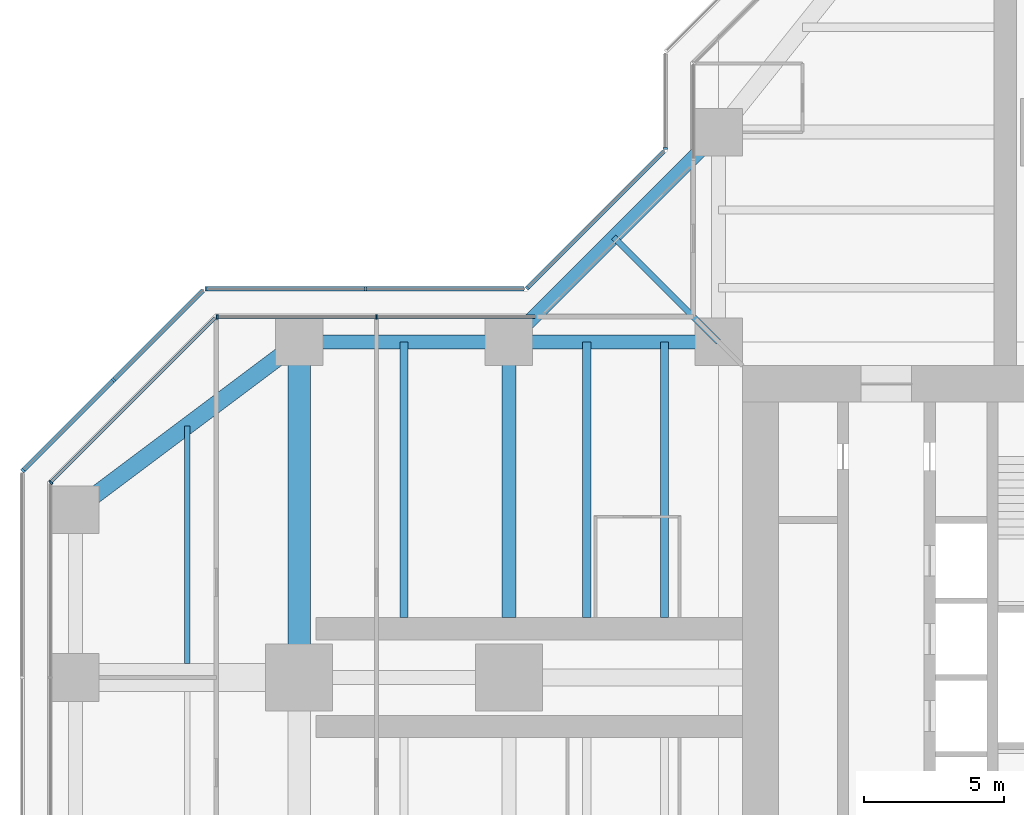
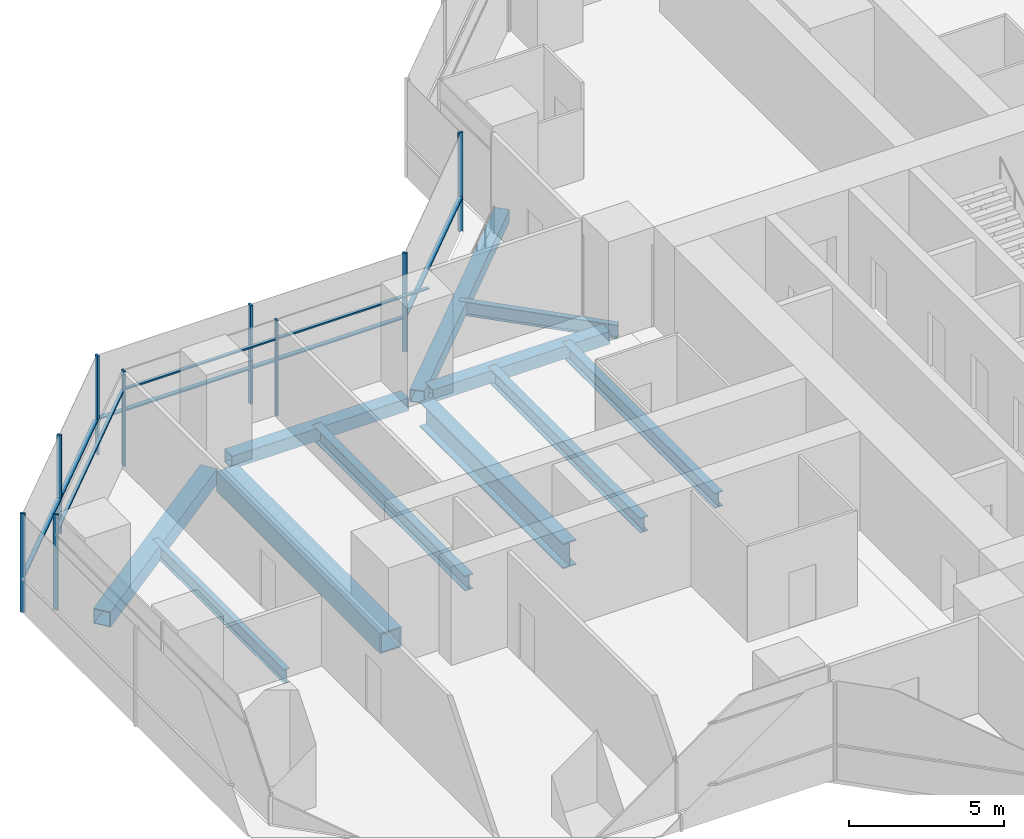
# One storey, part 7 of 20: 17 members, 11 beams, 6 elements without a shape of their own.
"""IFC4 building model written with IfcOpenShell, lengths in metres."""

from ifc_helpers import new_model, si_unit, direction, frame, origin, origin_2d, place, context, subcontext, project, spatial, rectangle, hollow_rectangle, i_section, extrude, material, material_profile, profile_set, type_object, element, aggregate, save


model = new_model("IFC4")

# Units and contexts
model_context = context("Model", 3, precision=1e-05, world=origin(), true_north=direction((0.0, 1.0)))
body_context = subcontext(model_context, "Body", "Model", "MODEL_VIEW")
ifc_project = project(units=[si_unit("LENGTHUNIT", "METRE"), si_unit("AREAUNIT", "SQUARE_METRE"), si_unit("VOLUMEUNIT", "CUBIC_METRE"), si_unit("PLANEANGLEUNIT", "RADIAN"), si_unit("MASSUNIT", "GRAM", prefix="KILO")], contexts=[model_context])

# Site, building, storey
site_placement = place(None, origin())
site = spatial("IfcSite", under=ifc_project, at=site_placement, CompositionType="ELEMENT")
building_placement = place(site_placement, origin())
building = spatial("IfcBuilding", under=site, at=building_placement, Name="Mizan Broadcast Tower", CompositionType="ELEMENT")
storey_placement = place(building_placement, frame((0.0, 0.0, 147.60009765625)))
storey = spatial("IfcBuildingStorey", under=building, at=storey_placement, Name="L33", CompositionType="ELEMENT", Elevation=147.60009765625)

# Beams
ifc_material_1 = material(Name="Steel S355", Category="steel")
ifc_material_profile_1 = material_profile(ifc_material_1, hollow_rectangle(XDim=0.5, YDim=0.5, WallThickness=0.030029296875, at=origin_2d()), Name="BOX 500x500x30")
ifc_profile_set_1 = profile_set([ifc_material_profile_1], Name="Steel S355")
beam_type_1 = type_object("IfcBeamType", Name="EDGE BEAM BOX 500x500x30", PredefinedType="SPANDREL", material=ifc_profile_set_1)
for number, where, z_axis, x_axis, name in (
    (1, (-12.449951171875, 12.0, -0.380126953125), (-1.0, 0.0, 0.0), (0.0, -1.0, 0.0), "Edge beam BOX 500x500x30 L33 west arm"),
    (2, (-19.949951171875, 12.0, -0.380126953125), (-1.0, 0.0, 0.0), (0.0, -1.0, 0.0), "Edge beam BOX 500x500x30 L33 west arm"),
):
    element("IfcBeam", number, at=place(storey_placement, frame(where, z_axis=z_axis, x_axis=x_axis)), inside=storey, type_object=beam_type_1, Name=name, PredefinedType="SPANDREL", context=body_context, shape_type="SweptSolid", body=[
        extrude(hollow_rectangle(XDim=0.5, YDim=0.5, WallThickness=0.030029296875, at=origin_2d()), origin(), (0.0, 0.0, 1.0), 6.60009765625),
    ])
beam_1_placement = place(storey_placement, frame((-12.0, 19.5, -0.380126953125), z_axis=(-0.707106781187, -0.707106781187, 0.0), x_axis=(0.707106781187, -0.707106781187, 0.0)))
element("IfcBeam", 3, at=beam_1_placement, inside=storey, type_object=beam_type_1, Name="Winter garden edge beam L33 N", PredefinedType="SPANDREL", context=body_context, shape_type="SweptSolid", body=[
    extrude(hollow_rectangle(XDim=0.5, YDim=0.5, WallThickness=0.030029296875, at=origin_2d()), origin(), (0.0, 0.0, 1.0), 10.606689453125),
])
ifc_material_2 = material(Name="Steel S355", Category="steel")
ifc_material_profile_2 = material_profile(ifc_material_2, hollow_rectangle(XDim=0.60009765625, YDim=0.60009765625, WallThickness=0.030029296875, at=origin_2d()), Name="BOX 600x600x30")
ifc_profile_set_2 = profile_set([ifc_material_profile_2], Name="Steel S355")
beam_type_2 = type_object("IfcBeamType", Name="EDGE BEAM BOX 600x600x30", PredefinedType="SPANDREL", material=ifc_profile_set_2)
beam_2_placement = place(storey_placement, frame((-27.47998046875, 11.639892578125, -0.43017578125), z_axis=(-0.800013316712, -0.599982243973, 0.0), x_axis=(0.599982243973, -0.800013316712, 0.0)))
element("IfcBeam", 4, at=beam_2_placement, inside=storey, type_object=beam_type_2, Name="Edge beam BOX 600x600x30 L33 west arm", PredefinedType="SPANDREL", context=body_context, shape_type="SweptSolid", body=[
    extrude(hollow_rectangle(XDim=0.60009765625, YDim=0.60009765625, WallThickness=0.030029296875, at=origin_2d()), origin(), (0.0, 0.0, 1.0), 8.7998046875),
])
ifc_material_3 = material(Name="Steel S460", Category="steel")
ifc_material_profile_3 = material_profile(ifc_material_3, hollow_rectangle(XDim=0.800048828125, YDim=0.800048828125, WallThickness=0.050048828125, at=origin_2d()), Name="BOX 800x800x50")
ifc_profile_set_3 = profile_set([ifc_material_profile_3], Name="Steel S460")
beam_type_3 = type_object("IfcBeamType", Name="GIRDER BOX 800x800x50", PredefinedType="BEAM", material=ifc_profile_set_3)
beam_3_placement = place(storey_placement, frame((-27.0, 11.280029296875, -0.530029296875), z_axis=(0.0, -1.0, 0.0), x_axis=(1.0, 0.0, 0.0)))
element("IfcBeam", 5, at=beam_3_placement, inside=storey, type_object=beam_type_3, Name="Girder BOX 800x800x50 L33 west arm", PredefinedType="BEAM", context=body_context, shape_type="SweptSolid", body=[
    extrude(hollow_rectangle(XDim=0.800048828125, YDim=0.800048828125, WallThickness=0.050048828125, at=origin_2d()), origin(), (0.0, 0.0, 1.0), 10.56005859375),
])
ifc_material_4 = material(Name="Steel S460", Category="steel")
ifc_material_profile_4 = material_profile(ifc_material_4, i_section(OverallWidth=0.5, OverallDepth=1.0, WebThickness=0.02490234375, FlangeThickness=0.050048828125, at=origin_2d()), Name="WPG 1000x500")
ifc_profile_set_4 = profile_set([ifc_material_profile_4], Name="Steel S460")
beam_type_4 = type_object("IfcBeamType", Name="GIRDER WPG 1000x500", PredefinedType="BEAM", material=ifc_profile_set_4)
beam_4_placement = place(storey_placement, frame((-19.5, 11.408935546875, -0.630126953125), z_axis=(0.0, -1.0, 0.0), x_axis=(1.0, 0.0, 0.0)))
element("IfcBeam", 6, at=beam_4_placement, inside=storey, type_object=beam_type_4, Name="Girder WPG 1000x500 L33 west arm", PredefinedType="BEAM", context=body_context, shape_type="SweptSolid", body=[
    extrude(i_section(OverallWidth=0.5, OverallDepth=1.0, WebThickness=0.02490234375, FlangeThickness=0.050048828125, at=origin_2d()), origin(), (0.0, 0.0, 1.0), 9.259033203125),
])

# Curtain wall, members
ifc_material_5 = material(Name="Aluminium framed glazing", Category="aluminium")
curtain_wall_type_1 = type_object("IfcCurtainWallType", Name="INNER SKIN MID ZONE", PredefinedType="USERDEFINED", material=ifc_material_5)
curtain_wall_1_placement = place(storey_placement, origin())
curtain_wall_1 = element("IfcCurtainWall", 7, at=curtain_wall_1_placement, inside=storey, type_object=curtain_wall_type_1, Name="Inner skin mid zone L33 W side", ObjectType="INNER SKIN MID ZONE", PredefinedType="USERDEFINED")
ifc_material_6 = material(Name="Aluminium, pale anodised", Category="aluminium")
ifc_material_profile_5 = material_profile(ifc_material_6, rectangle(XDim=0.159912109375, YDim=0.06005859375, at=origin_2d()), Name="MULLION 160x60")
ifc_profile_set_5 = profile_set([ifc_material_profile_5], Name="Aluminium, pale anodised")
member_type_1 = type_object("IfcMemberType", Name="INNER SKIN MULLION 60x160", PredefinedType="MULLION", material=ifc_profile_set_5)
member_1_placement = place(storey_placement, frame((-24.229248046875, 12.89990234375, 0.0), z_axis=(0.0, 0.0, 1.0), x_axis=(0.0, -1.0, 0.0)))
member_1 = element("IfcMember", 8, at=member_1_placement, type_object=member_type_1, Name="Inner skin mid zone L33 W side mullion 2", PredefinedType="MULLION", context=body_context, shape_type="SweptSolid", body=[
    extrude(rectangle(XDim=0.159912109375, YDim=0.06005859375, at=origin_2d()), origin(), (0.0, 0.0, 1.0), 3.77001953125),
])
member_2_placement = place(storey_placement, frame((-29.928466796875, 12.89990234375, 0.0), z_axis=(0.0, 0.0, 1.0), x_axis=(0.0, -1.0, 0.0)))
member_2 = element("IfcMember", 9, at=member_2_placement, type_object=member_type_1, Name="Inner skin mid zone L33 W side mullion 3", PredefinedType="MULLION", context=body_context, shape_type="SweptSolid", body=[
    extrude(rectangle(XDim=0.159912109375, YDim=0.06005859375, at=origin_2d()), origin(), (0.0, 0.0, 1.0), 3.77001953125),
])

# Curtain wall, member
curtain_wall_2_placement = place(storey_placement, origin())
curtain_wall_2 = element("IfcCurtainWall", 10, at=curtain_wall_2_placement, inside=storey, type_object=curtain_wall_type_1, Name="Inner skin mid zone L33 W chamfer", ObjectType="INNER SKIN MID ZONE", PredefinedType="USERDEFINED")
member_3_placement = place(storey_placement, frame((-35.87890625, 6.979736328125, 0.0), z_axis=(0.0, 0.0, 1.0), x_axis=(0.707106781187, -0.707106781187, 0.0)))
member_3 = element("IfcMember", 11, at=member_3_placement, type_object=member_type_1, Name="Inner skin mid zone L33 W chamfer mullion 2", PredefinedType="MULLION", context=body_context, shape_type="SweptSolid", body=[
    extrude(rectangle(XDim=0.159912109375, YDim=0.06005859375, at=origin_2d()), origin(), (0.0, 0.0, 1.0), 3.77001953125),
])

# Member
ifc_material_7 = material(Name="Aluminium, pale anodised", Category="aluminium")
ifc_material_profile_6 = material_profile(ifc_material_7, rectangle(XDim=0.1201171875, YDim=0.06005859375, at=origin_2d()), Name="TRANSOM 120x60")
ifc_profile_set_6 = profile_set([ifc_material_profile_6], Name="Aluminium, pale anodised")
member_type_2 = type_object("IfcMemberType", Name="INNER SKIN TRANSOM 60x120", PredefinedType="USERDEFINED", material=ifc_profile_set_6)
member_4_placement = place(storey_placement, frame((-18.56005859375, 12.89990234375, 3.02978515625), z_axis=(-1.0, 0.0, 0.0), x_axis=(0.0, -1.0, 0.0)))
member_4 = element("IfcMember", 12, at=member_4_placement, type_object=member_type_2, Name="Inner skin mid zone L33 W side transom 1.1", ObjectType="TRANSOM", PredefinedType="USERDEFINED", context=body_context, shape_type="SweptSolid", body=[
    extrude(rectangle(XDim=0.1201171875, YDim=0.06005859375, at=origin_2d()), origin(), (0.0, 0.0, 1.0), 5.63916015625),
])

member_5_placement = place(storey_placement, frame((-24.25927734375, 12.89990234375, 3.02978515625), z_axis=(-1.0, 0.0, 0.0), x_axis=(0.0, -1.0, 0.0)))
member_5 = element("IfcMember", 13, at=member_5_placement, type_object=member_type_2, Name="Inner skin mid zone L33 W side transom 2.1", ObjectType="TRANSOM", PredefinedType="USERDEFINED", context=body_context, shape_type="SweptSolid", body=[
    extrude(rectangle(XDim=0.1201171875, YDim=0.06005859375, at=origin_2d()), origin(), (0.0, 0.0, 1.0), 5.639404296875),
])

aggregate(curtain_wall_1, [member_1, member_2, member_4, member_5])

member_6_placement = place(storey_placement, frame((-30.0009765625, 12.857666015625, 3.02978515625), z_axis=(-0.707106781187, -0.707106781187, 0.0), x_axis=(0.707106781187, -0.707106781187, 0.0)))
member_6 = element("IfcMember", 14, at=member_6_placement, type_object=member_type_2, Name="Inner skin mid zone L33 W chamfer transom 1.1", ObjectType="TRANSOM", PredefinedType="USERDEFINED", context=body_context, shape_type="SweptSolid", body=[
    extrude(rectangle(XDim=0.1201171875, YDim=0.06005859375, at=origin_2d()), origin(), (0.0, 0.0, 1.0), 8.28271484375),
])

aggregate(curtain_wall_2, [member_3, member_6])

# Curtain wall, member
ifc_material_8 = material(Name="Aluminium framed glazing", Category="aluminium")
curtain_wall_type_2 = type_object("IfcCurtainWallType", Name="OUTER SKIN", PredefinedType="USERDEFINED", material=ifc_material_8)
curtain_wall_3_placement = place(storey_placement, origin())
curtain_wall_3 = element("IfcCurtainWall", 15, at=curtain_wall_3_placement, inside=storey, type_object=curtain_wall_type_2, Name="Outer skin L33 N side", ObjectType="OUTER SKIN", PredefinedType="USERDEFINED")
ifc_material_9 = material(Name="Aluminium, pale anodised", Category="aluminium")
ifc_material_profile_7 = material_profile(ifc_material_9, rectangle(XDim=0.159912109375, YDim=0.080078125, at=origin_2d()), Name="MULLION 160x80")
ifc_profile_set_7 = profile_set([ifc_material_profile_7], Name="Aluminium, pale anodised")
member_type_3 = type_object("IfcMemberType", Name="OUTER SKIN MULLION 80x160", PredefinedType="MULLION", material=ifc_profile_set_7)
member_7_placement = place(storey_placement, frame((-13.89990234375, 18.912841796875, 0.0), z_axis=(0.0, 0.0, 1.0), x_axis=(1.0, 0.0, 0.0)))
member_7 = element("IfcMember", 16, at=member_7_placement, type_object=member_type_3, Name="Outer skin L33 N side mullion 2", PredefinedType="MULLION", context=body_context, shape_type="SweptSolid", body=[
    extrude(rectangle(XDim=0.159912109375, YDim=0.080078125, at=origin_2d()), origin(), (0.0, 0.0, 1.0), 3.89990234375),
])
aggregate(curtain_wall_3, [member_7])

curtain_wall_4_placement = place(storey_placement, origin())
curtain_wall_4 = element("IfcCurtainWall", 17, at=curtain_wall_4_placement, inside=storey, type_object=curtain_wall_type_2, Name="Outer skin L33 W chamfer", ObjectType="OUTER SKIN", PredefinedType="USERDEFINED")
member_8_placement = place(storey_placement, frame((-18.844482421875, 13.92822265625, 0.0), z_axis=(0.0, 0.0, 1.0), x_axis=(0.707106781187, -0.707106781187, 0.0)))
member_8 = element("IfcMember", 18, at=member_8_placement, type_object=member_type_3, Name="Outer skin L33 W chamfer mullion 2", PredefinedType="MULLION", context=body_context, shape_type="SweptSolid", body=[
    extrude(rectangle(XDim=0.159912109375, YDim=0.080078125, at=origin_2d()), origin(), (0.0, 0.0, 1.0), 3.89990234375),
])

# Curtain wall, members
curtain_wall_5_placement = place(storey_placement, origin())
curtain_wall_5 = element("IfcCurtainWall", 19, at=curtain_wall_5_placement, inside=storey, type_object=curtain_wall_type_2, Name="Outer skin L33 W side", ObjectType="OUTER SKIN", PredefinedType="USERDEFINED")
member_9_placement = place(storey_placement, frame((-24.622802734375, 13.89990234375, 0.0), z_axis=(0.0, 0.0, 1.0), x_axis=(0.0, -1.0, 0.0)))
member_9 = element("IfcMember", 20, at=member_9_placement, type_object=member_type_3, Name="Outer skin L33 W side mullion 2", PredefinedType="MULLION", context=body_context, shape_type="SweptSolid", body=[
    extrude(rectangle(XDim=0.159912109375, YDim=0.080078125, at=origin_2d()), origin(), (0.0, 0.0, 1.0), 3.89990234375),
])
member_10_placement = place(storey_placement, frame((-30.332763671875, 13.89990234375, 0.0), z_axis=(0.0, 0.0, 1.0), x_axis=(0.0, -1.0, 0.0)))
member_10 = element("IfcMember", 21, at=member_10_placement, type_object=member_type_3, Name="Outer skin L33 W side mullion 3", PredefinedType="MULLION", context=body_context, shape_type="SweptSolid", body=[
    extrude(rectangle(XDim=0.159912109375, YDim=0.080078125, at=origin_2d()), origin(), (0.0, 0.0, 1.0), 3.89990234375),
])

curtain_wall_6_placement = place(storey_placement, origin())
curtain_wall_6 = element("IfcCurtainWall", 22, at=curtain_wall_6_placement, inside=storey, type_object=curtain_wall_type_2, Name="Outer skin L33 W chamfer", ObjectType="OUTER SKIN", PredefinedType="USERDEFINED")
member_11_placement = place(storey_placement, frame((-33.636474609375, 10.636474609375, 0.0), z_axis=(0.0, 0.0, 1.0), x_axis=(0.707106781187, -0.707106781187, 0.0)))
member_11 = element("IfcMember", 23, at=member_11_placement, type_object=member_type_3, Name="Outer skin L33 W chamfer mullion 2", PredefinedType="MULLION", context=body_context, shape_type="SweptSolid", body=[
    extrude(rectangle(XDim=0.159912109375, YDim=0.080078125, at=origin_2d()), origin(), (0.0, 0.0, 1.0), 3.89990234375),
])
member_12_placement = place(storey_placement, frame((-36.871826171875, 7.401123046875, 0.0), z_axis=(0.0, 0.0, 1.0), x_axis=(0.707106781187, -0.707106781187, 0.0)))
member_12 = element("IfcMember", 24, at=member_12_placement, type_object=member_type_3, Name="Outer skin L33 W chamfer mullion 3", PredefinedType="MULLION", context=body_context, shape_type="SweptSolid", body=[
    extrude(rectangle(XDim=0.159912109375, YDim=0.080078125, at=origin_2d()), origin(), (0.0, 0.0, 1.0), 3.89990234375),
])

# Member
ifc_material_10 = material(Name="Aluminium, pale anodised", Category="aluminium")
ifc_material_profile_8 = material_profile(ifc_material_10, rectangle(XDim=0.159912109375, YDim=0.06005859375, at=origin_2d()), Name="TRANSOM 160x60")
ifc_profile_set_8 = profile_set([ifc_material_profile_8], Name="Aluminium, pale anodised")
member_type_4 = type_object("IfcMemberType", Name="OUTER SKIN TRANSOM 60x160", PredefinedType="USERDEFINED", material=ifc_profile_set_8)
member_13_placement = place(storey_placement, frame((-13.95654296875, 18.816162109375, 1.39990234375), z_axis=(-0.707106781187, -0.707106781187, 0.0), x_axis=(0.707106781187, -0.707106781187, 0.0)))
member_13 = element("IfcMember", 25, at=member_13_placement, type_object=member_type_4, Name="Outer skin L33 W chamfer transom 1.1", ObjectType="TRANSOM", PredefinedType="USERDEFINED", context=body_context, shape_type="SweptSolid", body=[
    extrude(rectangle(XDim=0.159912109375, YDim=0.06005859375, at=origin_2d()), origin(), (0.0, 0.0, 1.0), 6.87255859375),
])

aggregate(curtain_wall_4, [member_8, member_13])

member_14_placement = place(storey_placement, frame((-18.952880859375, 13.89990234375, 1.39990234375), z_axis=(-1.0, 0.0, 0.0), x_axis=(0.0, -1.0, 0.0)))
member_14 = element("IfcMember", 26, at=member_14_placement, type_object=member_type_4, Name="Outer skin L33 W side transom 1.1", ObjectType="TRANSOM", PredefinedType="USERDEFINED", context=body_context, shape_type="SweptSolid", body=[
    extrude(rectangle(XDim=0.159912109375, YDim=0.06005859375, at=origin_2d()), origin(), (0.0, 0.0, 1.0), 5.6298828125),
])

member_15_placement = place(storey_placement, frame((-24.662841796875, 13.89990234375, 1.39990234375), z_axis=(-1.0, 0.0, 0.0), x_axis=(0.0, -1.0, 0.0)))
member_15 = element("IfcMember", 27, at=member_15_placement, type_object=member_type_4, Name="Outer skin L33 W side transom 2.1", ObjectType="TRANSOM", PredefinedType="USERDEFINED", context=body_context, shape_type="SweptSolid", body=[
    extrude(rectangle(XDim=0.159912109375, YDim=0.06005859375, at=origin_2d()), origin(), (0.0, 0.0, 1.0), 5.6298828125),
])

aggregate(curtain_wall_5, [member_9, member_10, member_14, member_15])

member_16_placement = place(storey_placement, frame((-30.429443359375, 13.843505859375, 1.39990234375), z_axis=(-0.707106781187, -0.707106781187, 0.0), x_axis=(0.707106781187, -0.707106781187, 0.0)))
member_16 = element("IfcMember", 28, at=member_16_placement, type_object=member_type_4, Name="Outer skin L33 W chamfer transom 1.1", ObjectType="TRANSOM", PredefinedType="USERDEFINED", context=body_context, shape_type="SweptSolid", body=[
    extrude(rectangle(XDim=0.159912109375, YDim=0.06005859375, at=origin_2d()), origin(), (0.0, 0.0, 1.0), 4.495361328125),
])

member_17_placement = place(storey_placement, frame((-33.664794921875, 10.608154296875, 1.39990234375), z_axis=(-0.707106781187, -0.707106781187, 0.0), x_axis=(0.707106781187, -0.707106781187, 0.0)))
member_17 = element("IfcMember", 29, at=member_17_placement, type_object=member_type_4, Name="Outer skin L33 W chamfer transom 2.1", ObjectType="TRANSOM", PredefinedType="USERDEFINED", context=body_context, shape_type="SweptSolid", body=[
    extrude(rectangle(XDim=0.159912109375, YDim=0.06005859375, at=origin_2d()), origin(), (0.0, 0.0, 1.0), 4.495361328125),
])

aggregate(curtain_wall_6, [member_11, member_12, member_16, member_17])

# Beams
ifc_material_11 = material(Name="Steel S355", Category="steel")
ifc_material_profile_9 = material_profile(ifc_material_11, i_section(OverallWidth=0.300048828125, OverallDepth=0.590087890625, WebThickness=0.012939453125, FlangeThickness=0.02490234375, FilletRadius=0.027099609375, at=origin_2d()), Name="HEA 600")
ifc_profile_set_9 = profile_set([ifc_material_profile_9], Name="Steel S355")
beam_type_5 = type_object("IfcBeamType", Name="SECONDARY BEAM HEA 600", PredefinedType="JOIST", material=ifc_profile_set_9)
for number, where, z_axis, x_axis, name in (
    (30, (-13.933349609375, 12.0, -0.425048828125), (0.0, -1.0, 0.0), (1.0, 0.0, 0.0), "Secondary beam HEA 600 L33 west arm"),
    (31, (-16.716552734375, 12.0, -0.425048828125), (0.0, -1.0, 0.0), (1.0, 0.0, 0.0), "Secondary beam HEA 600 L33 west arm"),
    (32, (-23.25, 12.0, -0.425048828125), (0.0, -1.0, 0.0), (1.0, 0.0, 0.0), "Secondary beam HEA 600 L33 west arm"),
):
    element("IfcBeam", number, at=place(storey_placement, frame(where, z_axis=z_axis, x_axis=x_axis)), inside=storey, type_object=beam_type_5, Name=name, PredefinedType="JOIST", context=body_context, shape_type="SweptSolid", body=[
        extrude(i_section(OverallWidth=0.300048828125, OverallDepth=0.590087890625, WebThickness=0.012939453125, FlangeThickness=0.02490234375, FilletRadius=0.027099609375, at=origin_2d()), origin(), (0.0, 0.0, 1.0), 9.85009765625),
    ])
ifc_material_12 = material(Name="Steel S355", Category="steel")
ifc_material_profile_10 = material_profile(ifc_material_12, i_section(OverallWidth=0.2099609375, OverallDepth=0.550048828125, WebThickness=0.010986328125, FlangeThickness=0.01708984375, FilletRadius=0.02392578125, at=origin_2d()), Name="IPE 550")
ifc_profile_set_10 = profile_set([ifc_material_profile_10], Name="Steel S355")
beam_type_6 = type_object("IfcBeamType", Name="SECONDARY BEAM IPE 550", PredefinedType="JOIST", material=ifc_profile_set_10)
beam_5_placement = place(storey_placement, frame((-31.0, 9.0, -0.405029296875), z_axis=(0.0, -1.0, 0.0), x_axis=(1.0, 0.0, 0.0)))
element("IfcBeam", 33, at=beam_5_placement, inside=storey, type_object=beam_type_6, Name="Secondary beam IPE 550 L33 west arm", PredefinedType="JOIST", context=body_context, shape_type="SweptSolid", body=[
    extrude(i_section(OverallWidth=0.2099609375, OverallDepth=0.550048828125, WebThickness=0.010986328125, FlangeThickness=0.01708984375, FilletRadius=0.02392578125, at=origin_2d()), origin(), (0.0, 0.0, 1.0), 8.5),
])
beam_6_placement = place(storey_placement, frame((-12.0, 12.0, -0.405029296875), z_axis=(-0.707106781187, 0.707106781187, 0.0), x_axis=(-0.707106781187, -0.707106781187, 0.0)))
element("IfcBeam", 34, at=beam_6_placement, inside=storey, type_object=beam_type_6, Name="Winter garden beam L33 N", PredefinedType="JOIST", context=body_context, shape_type="SweptSolid", body=[
    extrude(i_section(OverallWidth=0.2099609375, OverallDepth=0.550048828125, WebThickness=0.010986328125, FlangeThickness=0.01708984375, FilletRadius=0.02392578125, at=origin_2d()), origin(), (0.0, 0.0, 1.0), 5.30322265625),
])

save(model, "model.ifc")
